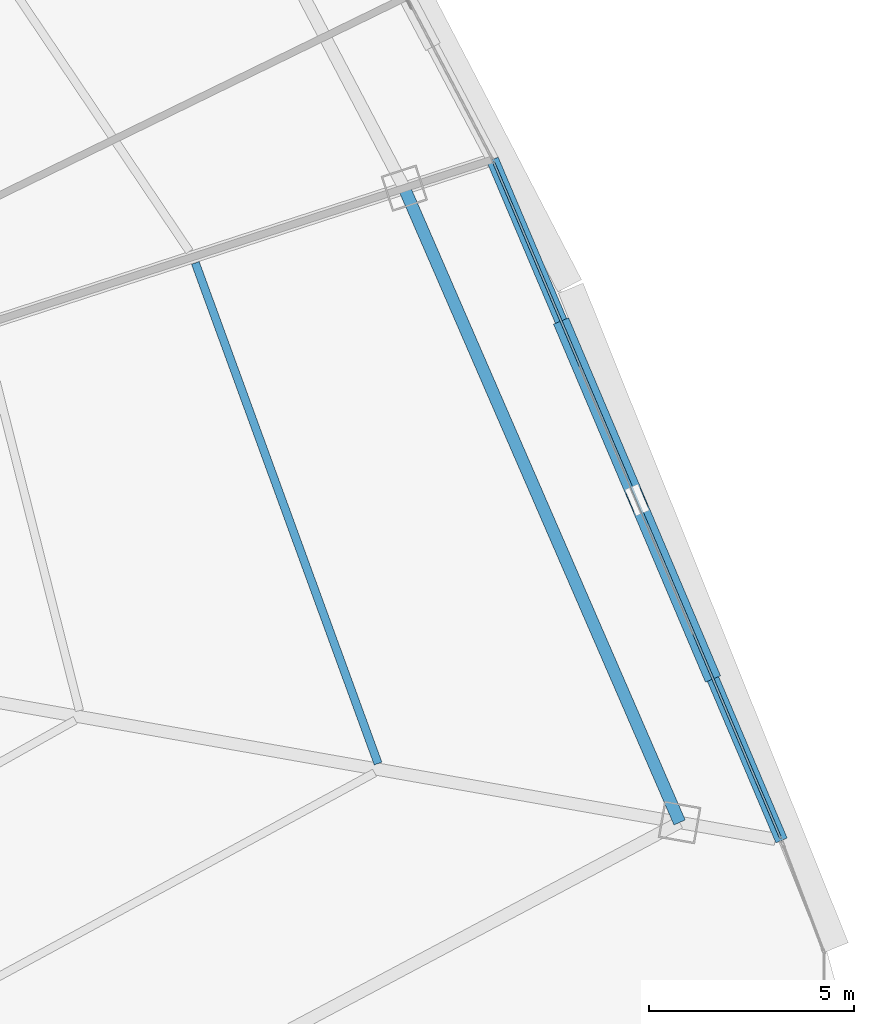
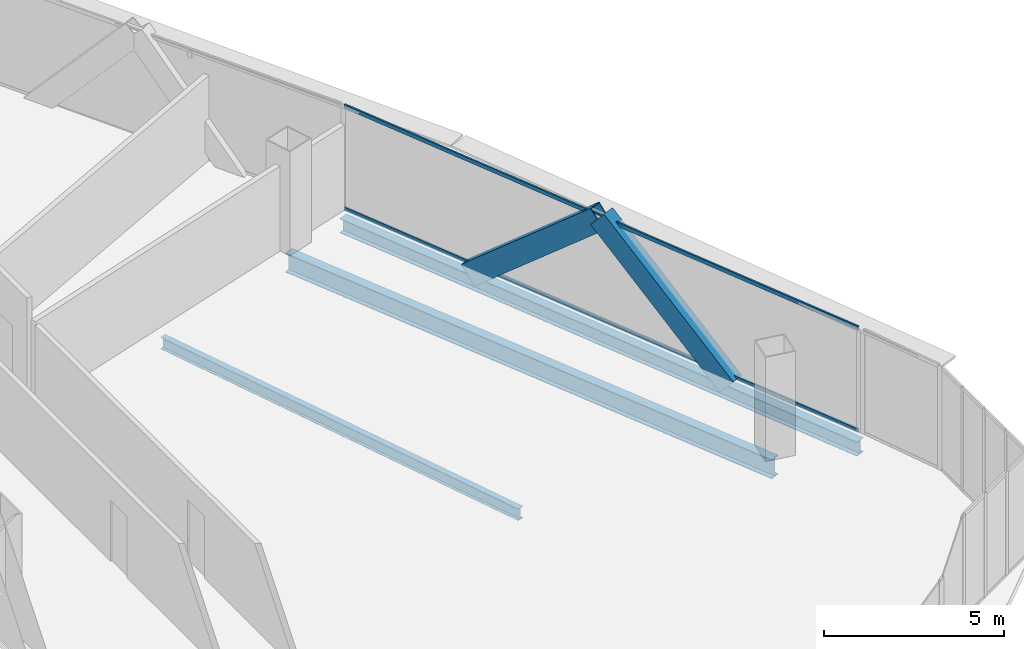
# One storey, part 25 of 40: 4 members, 3 beams, 1 element without a shape of its own.
"""IFC4 building model written with IfcOpenShell, lengths in metres."""

from ifc_helpers import new_model, si_unit, direction, frame, origin, origin_2d, place, context, subcontext, project, spatial, hollow_rectangle, i_section, extrude, source, transform, mapped, material, layer, layer_set, material_profile, profile_set, type_object, element, aggregate, save


model = new_model("IFC4")

# Units and contexts
model_context = context("Model", 3, precision=1e-05, world=origin(), true_north=direction((0.0, 1.0)))
body_context = subcontext(model_context, "Body", "Model", "MODEL_VIEW")
ifc_project = project(units=[si_unit("LENGTHUNIT", "METRE"), si_unit("AREAUNIT", "SQUARE_METRE"), si_unit("VOLUMEUNIT", "CUBIC_METRE"), si_unit("PLANEANGLEUNIT", "RADIAN"), si_unit("MASSUNIT", "GRAM", prefix="KILO"), si_unit("THERMODYNAMICTEMPERATUREUNIT", "KELVIN"), si_unit("POWERUNIT", "WATT")], contexts=[model_context])

# Site, building, storey
site_placement = place(None, origin())
site = spatial("IfcSite", under=ifc_project, at=site_placement, CompositionType="ELEMENT")
building_placement = place(site_placement, origin())
building = spatial("IfcBuilding", under=site, at=building_placement, Name="Yunzhuo Pagoda Commons", CompositionType="ELEMENT")
storey_placement = place(building_placement, frame((0.0, 0.0, 180.9599609375)))
storey = spatial("IfcBuildingStorey", under=building, at=storey_placement, Name="L45", CompositionType="ELEMENT", Elevation=180.9599609375)

# Beams
ifc_material_1 = material(Name="Structural steel Q355B", Category="steel")
ifc_material_profile_1 = material_profile(ifc_material_1, i_section(OverallWidth=0.300048828125, OverallDepth=0.488037109375, WebThickness=0.010986328125, FlangeThickness=0.01806640625, at=origin_2d()), Name="Structural steel Q355B")
ifc_profile_set_1 = profile_set([ifc_material_profile_1], Name="Structural steel Q355B")
beam_type_1 = type_object("IfcBeamType", Name="B-SP1 Beam HM 488x300x11x18", PredefinedType="BEAM", material=ifc_profile_set_1)
shared_shape_1 = source(origin(), body_context, "Body", "SweptSolid", [
    extrude(i_section(OverallWidth=0.300048828125, OverallDepth=0.488037109375, WebThickness=0.010986328125, FlangeThickness=0.01806640625, at=origin_2d()), origin(), (0.0, 0.0, 1.0), 18.037109375),
])
beam_1_placement = place(storey_placement, frame((85.6923828125, 27.0537109375, -0.50390625), z_axis=(-0.390700353575, 0.920517916021, 0.0), x_axis=(-0.920517916021, -0.390700353575, 0.0)))
element("IfcBeam", 1, at=beam_1_placement, inside=storey, type_object=beam_type_1, Name="L45 facade edge spandrel beam F2.1", PredefinedType="BEAM", context=body_context, shape_type="MappedRepresentation", body=[
    mapped(shared_shape_1, transform((0.0, 0.0, 0.0), scale=1.0)),
])
ifc_material_profile_2 = material_profile(ifc_material_1, i_section(OverallWidth=0.300048828125, OverallDepth=0.64990234375, WebThickness=0.012939453125, FlangeThickness=0.02197265625, at=origin_2d()), Name="Structural steel Q355B")
ifc_profile_set_2 = profile_set([ifc_material_profile_2], Name="Structural steel Q355B")
beam_type_2 = type_object("IfcBeamType", Name="B-RG2 Beam HN 650x300x13x22", PredefinedType="BEAM", material=ifc_profile_set_2)
shared_shape_2 = source(origin(), body_context, "Body", "SweptSolid", [
    extrude(i_section(OverallWidth=0.300048828125, OverallDepth=0.64990234375, WebThickness=0.012939453125, FlangeThickness=0.02197265625, at=origin_2d()), origin(), (0.0, 0.0, 1.0), 16.859619140625),
])
beam_2_placement = place(storey_placement, frame((83.20654296875, 27.492431640625, -0.5849609375), z_axis=(-0.398104384161, 0.917340121935, 0.0), x_axis=(-0.917340121935, -0.398104384161, 0.0)))
element("IfcBeam", 2, at=beam_2_placement, inside=storey, type_object=beam_type_2, Name="L45 column-ring beam 5", PredefinedType="BEAM", context=body_context, shape_type="MappedRepresentation", body=[
    mapped(shared_shape_2, transform((0.0, 0.0, 0.0), scale=1.0)),
])
ifc_material_profile_3 = material_profile(ifc_material_1, i_section(OverallWidth=0.199951171875, OverallDepth=0.39990234375, WebThickness=0.008056640625, FlangeThickness=0.012939453125, at=origin_2d()), Name="Structural steel Q355B")
ifc_profile_set_3 = profile_set([ifc_material_profile_3], Name="Structural steel Q355B")
beam_type_3 = type_object("IfcBeamType", Name="B-JS1 Joist HN 400x200x8x13", PredefinedType="JOIST", material=ifc_profile_set_3)
shared_shape_3 = source(origin(), body_context, "Body", "SweptSolid", [
    extrude(i_section(OverallWidth=0.199951171875, OverallDepth=0.39990234375, WebThickness=0.008056640625, FlangeThickness=0.012939453125, at=origin_2d()), origin(), (0.0, 0.0, 1.0), 12.994873046875),
])
beam_3_placement = place(storey_placement, frame((75.85400390625, 28.928466796875, -0.4599609375), z_axis=(-0.342834977914, 0.939395645039, 0.0), x_axis=(-0.939395645039, -0.342834977914, 0.0)))
element("IfcBeam", 3, at=beam_3_placement, inside=storey, type_object=beam_type_3, Name="L45 composite ring joist 2.5", PredefinedType="JOIST", context=body_context, shape_type="MappedRepresentation", body=[
    mapped(shared_shape_3, transform((0.0, 0.0, 0.0), scale=1.0)),
])

# Members
ifc_material_profile_4 = material_profile(ifc_material_1, hollow_rectangle(XDim=0.39990234375, YDim=0.719970703125, WallThickness=0.02392578125, at=origin_2d()), Name="Structural steel Q355B")
ifc_profile_set_4 = profile_set([ifc_material_profile_4], Name="Structural steel Q355B")
member_type_1 = type_object("IfcMemberType", Name="M-DL2 Brace BOX 720x400x24", PredefinedType="BRACE", material=ifc_profile_set_4)
shared_shape_4 = source(origin(), body_context, "Body", "SweptSolid", [
    extrude(hollow_rectangle(XDim=0.39990234375, YDim=0.719970703125, WallThickness=0.02392578125, at=origin_2d()), origin(), (0.0, 0.0, 1.0), 5.89697265625),
])
for number, where, z_axis, x_axis, name in (
    (4, (83.930419921875, 31.20458984375, -0.260009765625), (-0.298751694523, 0.703904699318, 0.644411048399), (-0.92052278395, -0.390688884189, 0.0), "L45 facade diamond brace F2.1L"),
    (5, (80.406982421875, 39.50634765625, -0.260009765625), (0.298751694523, -0.703904699318, 0.644411048399), (0.92052278395, 0.390688884189, 0.0), "L45 facade diamond brace F2.1R"),
):
    element("IfcMember", number, at=place(storey_placement, frame(where, z_axis=z_axis, x_axis=x_axis)), inside=storey, type_object=member_type_1, Name=name, PredefinedType="BRACE", context=body_context, shape_type="MappedRepresentation", body=[
        mapped(shared_shape_4, transform((0.0, 0.0, 0.0), scale=1.0)),
    ])

# Curtain wall, members
ifc_material_2 = material(Name="Anodized aluminium 6063-T6", Category="aluminium")
ifc_layer = layer(ifc_material_2, 0.14990234375)
ifc_layer_set = layer_set([ifc_layer], Name="Anodized aluminium 6063-T6")
curtain_wall_type = type_object("IfcCurtainWallType", Name="CW-MID Mid-Zone Ribbon Curtain Wall", PredefinedType="NOTDEFINED", material=ifc_layer_set)
curtain_wall_placement = place(storey_placement, origin())
curtain_wall = element("IfcCurtainWall", 6, at=curtain_wall_placement, inside=storey, type_object=curtain_wall_type, Name="L45 curtain wall CW-L45-F2B2", PredefinedType="NOTDEFINED")
ifc_material_profile_5 = material_profile(ifc_material_2, hollow_rectangle(XDim=0.054931640625, YDim=0.1298828125, WallThickness=0.00341796875, at=origin_2d()), Name="Anodized aluminium 6063-T6")
ifc_profile_set_5 = profile_set([ifc_material_profile_5], Name="Anodized aluminium 6063-T6")
member_type_2 = type_object("IfcMemberType", Name="CW-MID-T Transom RHS 130x55x3.5", PredefinedType="USERDEFINED", material=ifc_profile_set_5)
shared_shape_5 = source(origin(), body_context, "Body", "SweptSolid", [
    extrude(hollow_rectangle(XDim=0.054931640625, YDim=0.1298828125, WallThickness=0.00341796875, at=origin_2d()), origin(), (0.0, 0.0, 1.0), 17.917236328125),
])
member_1_placement = place(storey_placement, frame((85.6689453125, 27.109130859375, 0.027587890625), z_axis=(-0.390715008081, 0.920511695993, 0.0), x_axis=(-0.920511695993, -0.390715008081, 0.0)))
member_1 = element("IfcMember", 7, at=member_1_placement, type_object=member_type_2, Name="CW transom 1.1", ObjectType="TRANSOM", PredefinedType="USERDEFINED", context=body_context, shape_type="MappedRepresentation", body=[
    mapped(shared_shape_5, transform((0.0, 0.0, 0.0), scale=1.0)),
])
member_2_placement = place(storey_placement, frame((85.6689453125, 27.109130859375, 3.512451171875), z_axis=(-0.390715008081, 0.920511695993, 0.0), x_axis=(-0.920511695993, -0.390715008081, 0.0)))
member_2 = element("IfcMember", 8, at=member_2_placement, type_object=member_type_2, Name="CW transom 1.2", ObjectType="TRANSOM", PredefinedType="USERDEFINED", context=body_context, shape_type="MappedRepresentation", body=[
    mapped(shared_shape_5, transform((0.0, 0.0, 0.0), scale=1.0)),
])
aggregate(curtain_wall, [member_1, member_2])

save(model, "model.ifc")
